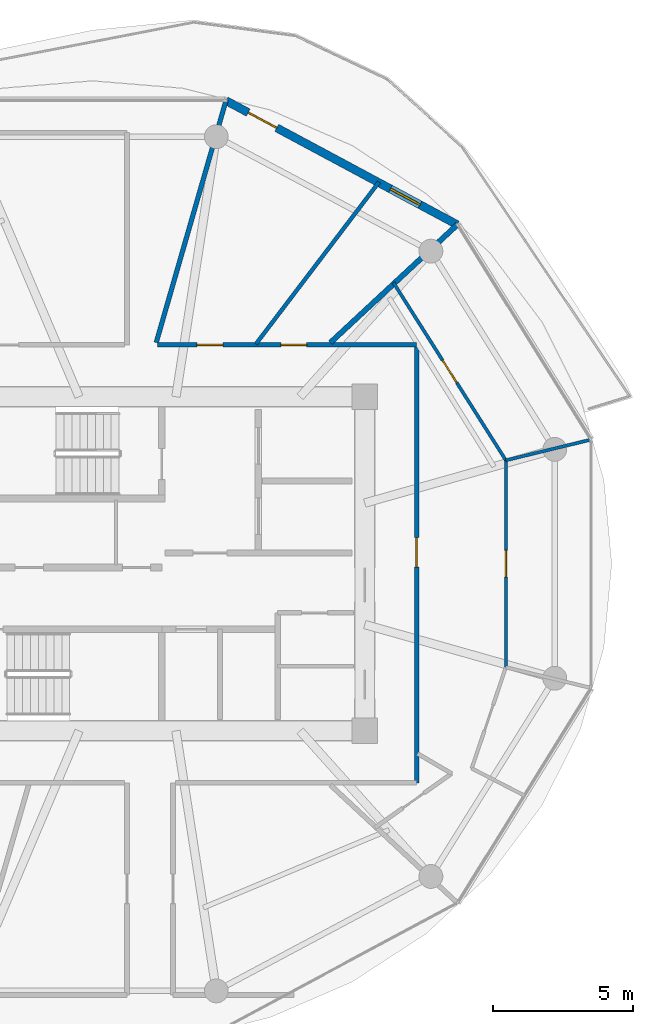
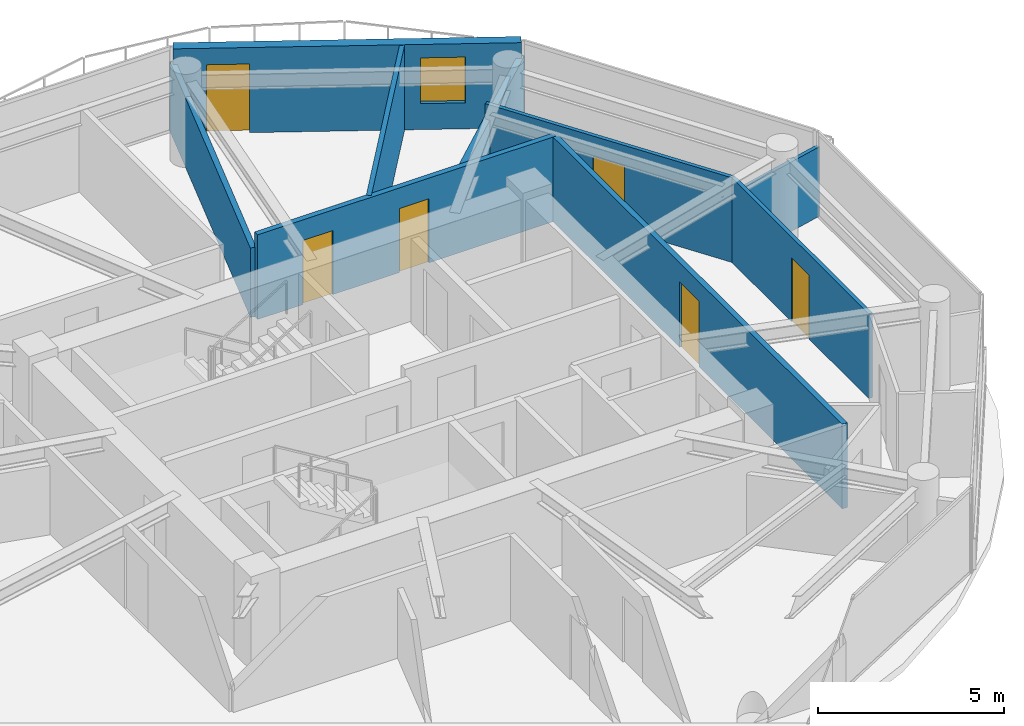
# One storey, part 17 of 24: 9 walls, 6 doors, 1 window, 7 openings.
"""IFC4 building model written with IfcOpenShell, lengths in metres."""

from ifc_helpers import new_model, si_unit, direction, frame, frame_2d, origin, place, context, subcontext, project, spatial, rectangle, extrude, source, transform, mapped, material, layer, layer_set, type_object, type_shapes, element, fill, save


model = new_model("IFC4")

# Units and contexts
model_context = context("Model", 3, precision=1e-05, world=origin(), true_north=direction((0.0, 1.0)))
body_context = subcontext(model_context, "Body", "Model", "MODEL_VIEW")
ifc_project = project(units=[si_unit("LENGTHUNIT", "METRE"), si_unit("AREAUNIT", "SQUARE_METRE"), si_unit("VOLUMEUNIT", "CUBIC_METRE"), si_unit("PLANEANGLEUNIT", "RADIAN"), si_unit("MASSUNIT", "GRAM", prefix="KILO")], contexts=[model_context])

# Site, building, storey
site_placement = place(None, origin())
site = spatial("IfcSite", under=ifc_project, at=site_placement, CompositionType="ELEMENT")
building_placement = place(site_placement, origin())
building = spatial("IfcBuilding", under=site, at=building_placement, Name="Norrkilde Senior Care Towers", CompositionType="ELEMENT")
storey_placement = place(building_placement, frame((0.0, 0.0, 111.5)))
storey = spatial("IfcBuildingStorey", under=building, at=storey_placement, Name="L34", CompositionType="ELEMENT", Elevation=111.5)

# Wall, openings, door, window
ifc_material_1 = material(Name="Precast concrete C45/55", Category="concrete")
ifc_layer_1 = layer(ifc_material_1, 0.2900390625)
ifc_layer_set_1 = layer_set([ifc_layer_1], Name="Precast concrete C45/55")
wall_type_1 = type_object("IfcWallType", Name="Winter Garden Facade Wall 290", PredefinedType="SOLIDWALL", material=ifc_layer_set_1)
shared_shape_1 = source(origin(), body_context, "Body", "SweptSolid", [
    extrude(rectangle(XDim=9.3505859375, YDim=0.2900390625, at=frame_2d((4.67529296875, 0.0))), origin(), (0.0, 0.0, 1.0), 2.7900390625),
])
type_shapes(wall_type_1, [shared_shape_1])
wall_1_placement = place(storey_placement, frame((30.70703125, 16.498046875, 0.0), z_axis=(0.0, 0.0, 1.0), x_axis=(0.881184411073, -0.472772708267, 0.0)))
wall_1 = element("IfcWall", 1, at=wall_1_placement, inside=storey, type_object=wall_type_1, Name="L34 Drum E Balcony Access Wall 01", PredefinedType="SOLIDWALL", context=body_context, shape_type="MappedRepresentation", body=[
    mapped(shared_shape_1, transform((0.0, 0.0, 0.0), x_axis=(1.0, 0.0, 0.0), y_axis=(0.0, 1.0, 0.0), z_axis=(0.0, 0.0, 1.0), scale=1.0)),
])
opening_1_placement = place(wall_1_placement, frame((0.89990234375, 0.0, 0.0)))
opening_1 = element("IfcOpeningElement", 2, at=opening_1_placement, cuts=wall_1, Name="Opening D-09", PredefinedType="OPENING", context=body_context, shape_type="SweptSolid", body=[
    extrude(rectangle(XDim=1.14990234375, YDim=2.25, at=frame_2d((0.574951171875, 1.125))), frame((0.0, 0.155029296875, 0.0), z_axis=(0.0, -1.0, 0.0), x_axis=(1.0, 0.0, 0.0)), (0.0, 0.0, 1.0), 0.31005859375),
])
opening_2_placement = place(wall_1_placement, frame((6.645263671875, 0.0, 0.85009765625)))
opening_2 = element("IfcOpeningElement", 3, at=opening_2_placement, cuts=wall_1, Name="Opening WN-07", PredefinedType="OPENING", context=body_context, shape_type="SweptSolid", body=[
    extrude(rectangle(XDim=1.199951171875, YDim=1.5, at=frame_2d((0.60009765625, 0.75))), frame((0.0, 0.155029296875, 0.0), z_axis=(0.0, -1.0, 0.0), x_axis=(1.0, 0.0, 0.0)), (0.0, 0.0, 1.0), 0.31005859375),
])
ifc_material_2 = material(Name="Anodised Aluminium", Category="aluminium")
door_type_1 = type_object("IfcDoorType", Name="Terrace and Balcony Glazed Door 1150x2250", OperationType="NOTDEFINED", PredefinedType="DOOR", material=ifc_material_2)
shared_shape_2 = source(origin(), body_context, "Body", "SweptSolid", [
    extrude(rectangle(XDim=1.14990234375, YDim=2.25, at=frame_2d((0.574951171875, 1.125))), frame((0.0, 0.02490234375, 0.0), z_axis=(0.0, -1.0, 0.0), x_axis=(1.0, 0.0, 0.0)), (0.0, 0.0, 1.0), 0.050048828125),
])
type_shapes(door_type_1, [shared_shape_2])
door_1_placement = place(opening_1_placement, origin())
door_1 = element("IfcDoor", 4, at=door_1_placement, inside=storey, type_object=door_type_1, Name="L34 Drum E Outdoor Terrace Door 01", OperationType="SINGLE_SWING_RIGHT", OverallHeight=2.25, OverallWidth=1.14990234375, PredefinedType="DOOR", context=body_context, shape_type="MappedRepresentation", body=[
    mapped(shared_shape_2, transform((0.0, 0.0, 0.0), x_axis=(1.0, 0.0, 0.0), y_axis=(0.0, 1.0, 0.0), z_axis=(0.0, 0.0, 1.0), scale=1.0)),
])
fill(opening_1, door_1)
ifc_material_3 = material(Name="Triple Low-E Insulated Glazing", Category="glass")
window_type = type_object("IfcWindowType", Name="Stairwell Smoke Vent Window 1200x1500", PartitioningType="SINGLE_PANEL", PredefinedType="WINDOW", material=ifc_material_3)
shared_shape_3 = source(origin(), body_context, "Body", "SweptSolid", [
    extrude(rectangle(XDim=1.199951171875, YDim=1.5, at=frame_2d((0.60009765625, 0.75))), frame((0.0, 0.030029296875, 0.0), z_axis=(0.0, -1.0, 0.0), x_axis=(1.0, 0.0, 0.0)), (0.0, 0.0, 1.0), 0.06005859375),
])
type_shapes(window_type, [shared_shape_3])
window_placement = place(opening_2_placement, origin())
window = element("IfcWindow", 5, at=window_placement, inside=storey, type_object=window_type, Name="L34 Drum E Winter Garden Window 01", OverallHeight=1.5, OverallWidth=1.199951171875, PartitioningType="SINGLE_PANEL", PredefinedType="WINDOW", context=body_context, shape_type="MappedRepresentation", body=[
    mapped(shared_shape_3, transform((0.0, 0.0, 0.0), x_axis=(1.0, 0.0, 0.0), y_axis=(0.0, 1.0, 0.0), z_axis=(0.0, 0.0, 1.0), scale=1.0)),
])
fill(opening_2, window)

# Wall, opening, door
ifc_material_4 = material(Name="Gypsum Acoustic Board")
ifc_layer_2 = layer(ifc_material_4, 0.1650390625)
ifc_layer_set_2 = layer_set([ifc_layer_2], Name="Gypsum Acoustic Board")
wall_type_2 = type_object("IfcWallType", Name="Corridor Rated Partition 165", PredefinedType="PARTITIONING", material=ifc_layer_set_2)
shared_shape_4 = source(origin(), body_context, "Body", "SweptSolid", [
    extrude(rectangle(XDim=15.60009765625, YDim=0.1650390625, at=frame_2d((7.800048828125, 0.0))), origin(), (0.0, 0.0, 1.0), 2.77490234375),
])
wall_2_placement = place(storey_placement, frame((37.5, 7.800048828125, 0.0), z_axis=(0.0, 0.0, 1.0), x_axis=(0.0, -1.0, 0.0)))
wall_2 = element("IfcWall", 6, at=wall_2_placement, inside=storey, type_object=wall_type_2, Name="WL-INT-L34-E-CRW-E-0", PredefinedType="PARTITIONING", context=body_context, shape_type="MappedRepresentation", body=[
    mapped(shared_shape_4, transform((0.0, 0.0, 0.0), x_axis=(1.0, 0.0, 0.0), y_axis=(0.0, 1.0, 0.0), z_axis=(0.0, 0.0, 1.0), scale=1.0)),
])
opening_3_placement = place(wall_2_placement, frame((6.86962890625, 0.0, 0.0)))
opening_3 = element("IfcOpeningElement", 7, at=opening_3_placement, cuts=wall_2, Name="Opening D-06", PredefinedType="OPENING", context=body_context, shape_type="SweptSolid", body=[
    extrude(rectangle(XDim=1.050048828125, YDim=2.14990234375, at=frame_2d((0.52490234375, 1.074951171875))), frame((0.0, 0.092529296875, 0.0), z_axis=(0.0, -1.0, 0.0), x_axis=(1.0, 0.0, 0.0)), (0.0, 0.0, 1.0), 0.18505859375),
])
ifc_material_5 = material(Name="Nordic Ash Timber", Category="wood")
door_type_2 = type_object("IfcDoorType", Name="Apartment Entrance Fire Door 1050x2150", OperationType="NOTDEFINED", PredefinedType="DOOR", material=ifc_material_5)
shared_shape_5 = source(origin(), body_context, "Body", "SweptSolid", [
    extrude(rectangle(XDim=1.050048828125, YDim=2.14990234375, at=frame_2d((0.52490234375, 1.074951171875))), frame((0.0, 0.02490234375, 0.0), z_axis=(0.0, -1.0, 0.0), x_axis=(1.0, 0.0, 0.0)), (0.0, 0.0, 1.0), 0.050048828125),
])
type_shapes(door_type_2, [shared_shape_5])
door_2_placement = place(opening_3_placement, frame((1.050048828125, 0.0, 0.0), z_axis=(0.0, 0.0, 1.0), x_axis=(-1.0, 0.0, 0.0)))
door_2 = element("IfcDoor", 8, at=door_2_placement, inside=storey, type_object=door_type_2, Name="Apartment 34C Entrance Door", OperationType="SINGLE_SWING_LEFT", OverallHeight=2.14990234375, OverallWidth=1.050048828125, PredefinedType="DOOR", context=body_context, shape_type="MappedRepresentation", body=[
    mapped(shared_shape_5, transform((0.0, 0.0, 0.0), x_axis=(1.0, 0.0, 0.0), y_axis=(0.0, 1.0, 0.0), z_axis=(0.0, 0.0, 1.0), scale=1.0)),
])
fill(opening_3, door_2)

# Wall, openings, doors
shared_shape_6 = source(origin(), body_context, "Body", "SweptSolid", [
    extrude(rectangle(XDim=9.234130859375, YDim=0.1650390625, at=frame_2d((4.6171875, 0.0))), origin(), (0.0, 0.0, 1.0), 2.77490234375),
])
wall_3_placement = place(storey_placement, frame((28.265869140625, 7.800048828125, 0.0), z_axis=(0.0, 0.0, 1.0), x_axis=(1.0, 0.0, 0.0)))
wall_3 = element("IfcWall", 9, at=wall_3_placement, inside=storey, type_object=wall_type_2, Name="WL-INT-L34-E-CRW-N-1", PredefinedType="PARTITIONING", context=body_context, shape_type="MappedRepresentation", body=[
    mapped(shared_shape_6, transform((0.0, 0.0, 0.0), x_axis=(1.0, 0.0, 0.0), y_axis=(0.0, 1.0, 0.0), z_axis=(0.0, 0.0, 1.0), scale=1.0)),
])
opening_4_placement = place(wall_3_placement, frame((4.39208984375, 0.0, 0.0)))
opening_4 = element("IfcOpeningElement", 10, at=opening_4_placement, cuts=wall_3, Name="Opening D-08", PredefinedType="OPENING", context=body_context, shape_type="SweptSolid", body=[
    extrude(rectangle(XDim=0.919921875, YDim=2.10009765625, at=frame_2d((0.4599609375, 1.050048828125))), frame((0.0, 0.092529296875, 0.0), z_axis=(0.0, -1.0, 0.0), x_axis=(1.0, 0.0, 0.0)), (0.0, 0.0, 1.0), 0.18505859375),
])
opening_5_placement = place(wall_3_placement, frame((1.407958984375, 0.0, 0.0)))
opening_5 = element("IfcOpeningElement", 11, at=opening_5_placement, cuts=wall_3, Name="Opening D-08", PredefinedType="OPENING", context=body_context, shape_type="SweptSolid", body=[
    extrude(rectangle(XDim=0.919921875, YDim=2.10009765625, at=frame_2d((0.4599609375, 1.050048828125))), frame((0.0, 0.092529296875, 0.0), z_axis=(0.0, -1.0, 0.0), x_axis=(1.0, 0.0, 0.0)), (0.0, 0.0, 1.0), 0.18505859375),
])
door_type_3 = type_object("IfcDoorType", Name="Accessible Wet Room Door 920x2100", OperationType="NOTDEFINED", PredefinedType="DOOR", material=ifc_material_5)
shared_shape_7 = source(origin(), body_context, "Body", "SweptSolid", [
    extrude(rectangle(XDim=0.919921875, YDim=2.10009765625, at=frame_2d((0.4599609375, 1.050048828125))), frame((0.0, 0.02490234375, 0.0), z_axis=(0.0, -1.0, 0.0), x_axis=(1.0, 0.0, 0.0)), (0.0, 0.0, 1.0), 0.050048828125),
])
type_shapes(door_type_3, [shared_shape_7])
door_3_placement = place(opening_4_placement, frame((0.919921875, 0.0, 0.0), z_axis=(0.0, 0.0, 1.0), x_axis=(-1.0, 0.0, 0.0)))
door_3 = element("IfcDoor", 12, at=door_3_placement, inside=storey, type_object=door_type_3, Name="L34 Accessible Restroom Door", OperationType="SINGLE_SWING_RIGHT", OverallHeight=2.10009765625, OverallWidth=0.919921875, PredefinedType="DOOR", context=body_context, shape_type="MappedRepresentation", body=[
    mapped(shared_shape_7, transform((0.0, 0.0, 0.0), x_axis=(1.0, 0.0, 0.0), y_axis=(0.0, 1.0, 0.0), z_axis=(0.0, 0.0, 1.0), scale=1.0)),
])
fill(opening_4, door_3)
door_4_placement = place(opening_5_placement, frame((0.919921875, 0.0, 0.0), z_axis=(0.0, 0.0, 1.0), x_axis=(-1.0, 0.0, 0.0)))
door_4 = element("IfcDoor", 13, at=door_4_placement, inside=storey, type_object=door_type_3, Name="L34 Public Restroom Door", OperationType="SINGLE_SWING_LEFT", OverallHeight=2.10009765625, OverallWidth=0.919921875, PredefinedType="DOOR", context=body_context, shape_type="MappedRepresentation", body=[
    mapped(shared_shape_7, transform((0.0, 0.0, 0.0), x_axis=(1.0, 0.0, 0.0), y_axis=(0.0, 1.0, 0.0), z_axis=(0.0, 0.0, 1.0), scale=1.0)),
])
fill(opening_5, door_4)

# Walls
shared_shape_8 = source(origin(), body_context, "Body", "SweptSolid", [
    extrude(rectangle(XDim=8.9892578125, YDim=0.1650390625, at=frame_2d((4.49462890625, 0.0))), origin(), (0.0, 0.0, 1.0), 2.27490234375),
])
type_shapes(wall_type_2, [shared_shape_4, shared_shape_6, shared_shape_8])
wall_4_placement = place(storey_placement, frame((28.221923828125, 7.8798828125, 0.0), z_axis=(0.0, 0.0, 1.0), x_axis=(0.27702323008, 0.960863221274, 0.0)))
element("IfcWall", 14, at=wall_4_placement, inside=storey, type_object=wall_type_2, Name="WL-INT-L34-E-DEM-02-0", PredefinedType="PARTITIONING", context=body_context, shape_type="MappedRepresentation", body=[
    mapped(shared_shape_8, transform((0.0, 0.0, 0.0), x_axis=(1.0, 0.0, 0.0), y_axis=(0.0, 1.0, 0.0), z_axis=(0.0, 0.0, 1.0), scale=1.0)),
])
ifc_layer_3 = layer(ifc_material_4, 0.18994140625)
ifc_layer_set_3 = layer_set([ifc_layer_3], Name="Gypsum Acoustic Board")
wall_type_3 = type_object("IfcWallType", Name="Unit Demising Acoustic Wall 190", PredefinedType="PARTITIONING", material=ifc_layer_set_3)
shared_shape_9 = source(origin(), body_context, "Body", "SweptSolid", [
    extrude(rectangle(XDim=6.186767578125, YDim=0.18994140625, at=frame_2d((3.09326171875, 0.0))), origin(), (0.0, 0.0, 1.0), 2.27490234375),
])
type_shapes(wall_type_3, [shared_shape_9])
wall_5_placement = place(storey_placement, frame((34.428955078125, 7.8798828125, 0.0), z_axis=(0.0, 0.0, 1.0), x_axis=(0.732501077882, 0.680765870841, 0.0)))
element("IfcWall", 15, at=wall_5_placement, inside=storey, type_object=wall_type_3, Name="WL-INT-L34-E-DEM-01-0", PredefinedType="PARTITIONING", context=body_context, shape_type="MappedRepresentation", body=[
    mapped(shared_shape_9, transform((0.0, 0.0, 0.0), x_axis=(1.0, 0.0, 0.0), y_axis=(0.0, 1.0, 0.0), z_axis=(0.0, 0.0, 1.0), scale=1.0)),
])
ifc_layer_4 = layer(ifc_material_4, 0.139892578125)
ifc_layer_set_4 = layer_set([ifc_layer_4], Name="Gypsum Acoustic Board")
wall_type_4 = type_object("IfcWallType", Name="En-suite Wet Room Wall 140", PredefinedType="PARTITIONING", material=ifc_layer_set_4)
shared_shape_10 = source(origin(), body_context, "Body", "SweptSolid", [
    extrude(rectangle(XDim=7.24267578125, YDim=0.139892578125, at=frame_2d((3.621337890625, 0.0))), origin(), (0.0, 0.0, 1.0), 2.77490234375),
])
type_shapes(wall_type_4, [shared_shape_10])
wall_6_placement = place(storey_placement, frame((31.773681640625, 7.830078125, 0.0), z_axis=(0.0, 0.0, 1.0), x_axis=(0.605111472002, 0.796140757939, 0.0)))
element("IfcWall", 16, at=wall_6_placement, inside=storey, type_object=wall_type_4, Name="WL-INT-L34-E-MID-01", PredefinedType="PARTITIONING", context=body_context, shape_type="MappedRepresentation", body=[
    mapped(shared_shape_10, transform((0.0, 0.0, 0.0), x_axis=(1.0, 0.0, 0.0), y_axis=(0.0, 1.0, 0.0), z_axis=(0.0, 0.0, 1.0), scale=1.0)),
])

# Wall, opening, door
ifc_layer_5 = layer(ifc_material_4, 0.114990234375)
ifc_layer_set_5 = layer_set([ifc_layer_5], Name="Gypsum Acoustic Board")
wall_type_5 = type_object("IfcWallType", Name="Internal Room Partition 115", PredefinedType="PARTITIONING", material=ifc_layer_set_5)
shared_shape_11 = source(origin(), body_context, "Body", "SweptSolid", [
    extrude(rectangle(XDim=7.37548828125, YDim=0.114990234375, at=frame_2d((3.687744140625, 0.0))), origin(), (0.0, 0.0, 1.0), 2.77490234375),
])
wall_7_placement = place(storey_placement, frame((40.677978515625, -3.687744140625, 0.0), z_axis=(0.0, 0.0, 1.0), x_axis=(0.0, 1.0, 0.0)))
wall_7 = element("IfcWall", 17, at=wall_7_placement, inside=storey, type_object=wall_type_5, Name="WL-INT-L34-E-UBC-10-1", PredefinedType="PARTITIONING", context=body_context, shape_type="MappedRepresentation", body=[
    mapped(shared_shape_11, transform((0.0, 0.0, 0.0), x_axis=(1.0, 0.0, 0.0), y_axis=(0.0, 1.0, 0.0), z_axis=(0.0, 0.0, 1.0), scale=1.0)),
])
opening_6_placement = place(wall_7_placement, frame((3.212646484375, 0.0, 0.0)))
opening_6 = element("IfcOpeningElement", 18, at=opening_6_placement, cuts=wall_7, Name="Opening D-07", PredefinedType="OPENING", context=body_context, shape_type="SweptSolid", body=[
    extrude(rectangle(XDim=0.949951171875, YDim=2.10009765625, at=frame_2d((0.47509765625, 1.050048828125))), frame((0.0, 0.0673828125, 0.0), z_axis=(0.0, -1.0, 0.0), x_axis=(1.0, 0.0, 0.0)), (0.0, 0.0, 1.0), 0.135009765625),
])
door_type_4 = type_object("IfcDoorType", Name="Internal Suite Bedroom Door 950x2100", OperationType="NOTDEFINED", PredefinedType="DOOR", material=ifc_material_5)
shared_shape_12 = source(origin(), body_context, "Body", "SweptSolid", [
    extrude(rectangle(XDim=0.949951171875, YDim=2.10009765625, at=frame_2d((0.47509765625, 1.050048828125))), frame((0.0, 0.02490234375, 0.0), z_axis=(0.0, -1.0, 0.0), x_axis=(1.0, 0.0, 0.0)), (0.0, 0.0, 1.0), 0.050048828125),
])
type_shapes(door_type_4, [shared_shape_12])
door_5_placement = place(opening_6_placement, origin())
door_5 = element("IfcDoor", 19, at=door_5_placement, inside=storey, type_object=door_type_4, Name="Apartment 34C Bedroom 1 Door", OperationType="SINGLE_SWING_RIGHT", OverallHeight=2.10009765625, OverallWidth=0.949951171875, PredefinedType="DOOR", context=body_context, shape_type="MappedRepresentation", body=[
    mapped(shared_shape_12, transform((0.0, 0.0, 0.0), x_axis=(1.0, 0.0, 0.0), y_axis=(0.0, 1.0, 0.0), z_axis=(0.0, 0.0, 1.0), scale=1.0)),
])
fill(opening_6, door_5)

shared_shape_13 = source(origin(), body_context, "Body", "SweptSolid", [
    extrude(rectangle(XDim=7.491455078125, YDim=0.114990234375, at=frame_2d((3.74560546875, 0.0))), origin(), (0.0, 0.0, 1.0), 2.77490234375),
])
wall_8_placement = place(storey_placement, frame((40.676513671875, 3.6875, 0.0), z_axis=(0.0, 0.0, 1.0), x_axis=(-0.534794647943, 0.844982061662, 0.0)))
wall_8 = element("IfcWall", 20, at=wall_8_placement, inside=storey, type_object=wall_type_5, Name="WL-INT-L34-E-UBC-10-2", PredefinedType="PARTITIONING", context=body_context, shape_type="MappedRepresentation", body=[
    mapped(shared_shape_13, transform((0.0, 0.0, 0.0), x_axis=(1.0, 0.0, 0.0), y_axis=(0.0, 1.0, 0.0), z_axis=(0.0, 0.0, 1.0), scale=1.0)),
])
opening_7_placement = place(wall_8_placement, frame((3.270751953125, 0.0, 0.0)))
opening_7 = element("IfcOpeningElement", 21, at=opening_7_placement, cuts=wall_8, Name="Opening D-07", PredefinedType="OPENING", context=body_context, shape_type="SweptSolid", body=[
    extrude(rectangle(XDim=0.949951171875, YDim=2.10009765625, at=frame_2d((0.47509765625, 1.050048828125))), frame((0.0, 0.0673828125, 0.0), z_axis=(0.0, -1.0, 0.0), x_axis=(1.0, 0.0, 0.0)), (0.0, 0.0, 1.0), 0.135009765625),
])
door_6_placement = place(opening_7_placement, frame((0.949951171875, 0.0, 0.0), z_axis=(0.0, 0.0, 1.0), x_axis=(-1.0, 0.0, 0.0)))
door_6 = element("IfcDoor", 22, at=door_6_placement, inside=storey, type_object=door_type_4, Name="Apartment 34C Bedroom 2 Door", OperationType="SINGLE_SWING_LEFT", OverallHeight=2.10009765625, OverallWidth=0.949951171875, PredefinedType="DOOR", context=body_context, shape_type="MappedRepresentation", body=[
    mapped(shared_shape_12, transform((0.0, 0.0, 0.0), x_axis=(1.0, 0.0, 0.0), y_axis=(0.0, 1.0, 0.0), z_axis=(0.0, 0.0, 1.0), scale=1.0)),
])
fill(opening_7, door_6)

# Wall
shared_shape_14 = source(origin(), body_context, "Body", "SweptSolid", [
    extrude(rectangle(XDim=3.134765625, YDim=0.114990234375, at=frame_2d((1.5673828125, 0.0))), origin(), (0.0, 0.0, 1.0), 2.27490234375),
])
type_shapes(wall_type_5, [shared_shape_11, shared_shape_13, shared_shape_14])
wall_9_placement = place(storey_placement, frame((40.676513671875, 3.6875, 0.0), z_axis=(0.0, 0.0, 1.0), x_axis=(0.971871716329, 0.235510863866, 0.0)))
element("IfcWall", 23, at=wall_9_placement, inside=storey, type_object=wall_type_5, Name="WL-INT-L34-E-UBR-10-2", PredefinedType="PARTITIONING", context=body_context, shape_type="MappedRepresentation", body=[
    mapped(shared_shape_14, transform((0.0, 0.0, 0.0), x_axis=(1.0, 0.0, 0.0), y_axis=(0.0, 1.0, 0.0), z_axis=(0.0, 0.0, 1.0), scale=1.0)),
])

save(model, "model.ifc")
